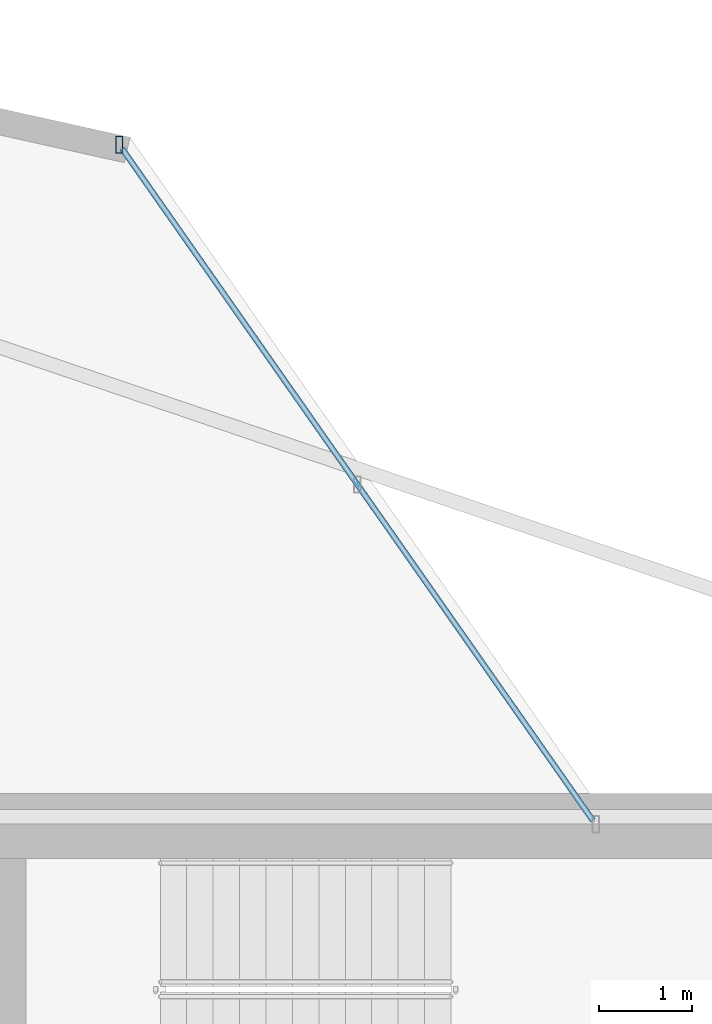
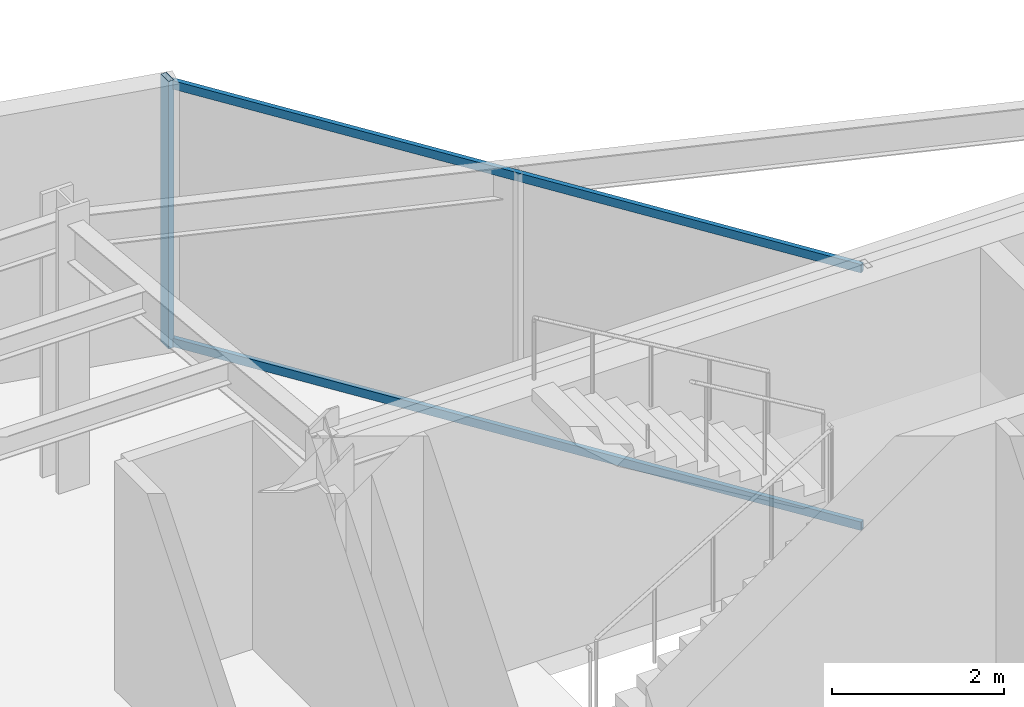
# One storey, part 12 of 22: 3 members, 1 element without a shape of its own.
"""IFC4 building model written with IfcOpenShell, lengths in metres."""

import ifcopenshell
import ifcopenshell.guid

model = None  # the IFC model being written
_history = None  # IfcOwnerHistory: only IFC2X3 demands one
_inside = {}  # id of a spatial element -> (the spatial element, [elements in it])
_under = {}  # id of a project, library or spatial element -> (it, [spatial elements below it])
_declared = {}  # id of a project -> (the project, [libraries it declares])
_typed = {}  # id of a type object -> (the type object, [elements of that type])
_made_of = {}  # id of a material, layer set ... -> (it, [elements and type objects made of it])


def new_model(schema):
    """Start an empty IFC model of exactly this schema.

    Asked for "IFC4X3", IfcOpenShell would pick the latest addendum, in which some entities
    have other attributes; the version numbers below select the first issue.
    IFC2X3 requires an IfcOwnerHistory on every rooted entity: one is made here for all.
    """
    global model, _history
    if schema == "IFC4X3":
        model = ifcopenshell.file(schema_version=(4, 3, 0, 0))
    else:
        model = ifcopenshell.file(schema=schema)
    _inside.clear()
    _under.clear()
    _declared.clear()
    _typed.clear()
    _made_of.clear()
    _history = None
    if model.schema == "IFC2X3":
        org = make("IfcOrganization", Name="unknown")
        user = make(
            "IfcPersonAndOrganization",
            ThePerson=make("IfcPerson", FamilyName="unknown"),
            TheOrganization=org,
        )
        app = make(
            "IfcApplication",
            ApplicationDeveloper=org,
            Version="unknown",
            ApplicationFullName="unknown",
            ApplicationIdentifier="unknown",
        )
        _history = make(
            "IfcOwnerHistory",
            OwningUser=user,
            OwningApplication=app,
            ChangeAction="ADDED",
            CreationDate=0,
        )
    return model


def make(cls, **values):
    """One entity of the class cls with the attributes given. An attribute that is None is left unset."""
    return model.create_entity(
        cls, **{name: value for name, value in values.items() if value is not None}
    )


def rooted(cls, **values):
    """An entity with a GlobalId (a new one), such as an element, a storey or a relation."""
    return make(cls, GlobalId=ifcopenshell.guid.new(), OwnerHistory=_history, **values)


def si_unit(unit_type, name, prefix=None):
    """IfcSIUnit, for example si_unit("LENGTHUNIT", "METRE", prefix="MILLI")."""
    return make("IfcSIUnit", UnitType=unit_type, Prefix=prefix, Name=name)


def assignment(units):
    """IfcUnitAssignment: the units of a project."""
    return None if units is None else make("IfcUnitAssignment", Units=units)


def point(xyz):
    """IfcCartesianPoint."""
    return None if xyz is None else make("IfcCartesianPoint", Coordinates=xyz)


def direction(xyz):
    """IfcDirection."""
    return None if xyz is None else make("IfcDirection", DirectionRatios=xyz)


def frame(location, z_axis=None, x_axis=None):
    """IfcAxis2Placement3D, a coordinate frame: its origin and axes. An axis left out is left unset."""
    return make(
        "IfcAxis2Placement3D",
        Location=point(location),
        Axis=direction(z_axis),
        RefDirection=direction(x_axis),
    )


def frame_2d(location, x_axis=None):
    """IfcAxis2Placement2D, a coordinate frame in the plane: its origin and x axis."""
    return make(
        "IfcAxis2Placement2D", Location=point(location), RefDirection=direction(x_axis)
    )


def origin():
    """The frame at (0, 0, 0) with its axes left unset."""
    return frame((0.0, 0.0, 0.0))


def origin_2d():
    """The frame at (0, 0) in the plane with its x axis left unset."""
    return frame_2d((0.0, 0.0))


def place(relative_to, where):
    """IfcLocalPlacement: puts the frame where relative to a parent placement (None: the world)."""
    return make(
        "IfcLocalPlacement", PlacementRelTo=relative_to, RelativePlacement=where
    )


def context(
    kind, dimensions, precision=None, world=None, true_north=None, identifier=None
):
    """IfcGeometricRepresentationContext, for example the 3D "Model" context."""
    return make(
        "IfcGeometricRepresentationContext",
        ContextIdentifier=identifier,
        ContextType=kind,
        CoordinateSpaceDimension=dimensions,
        Precision=precision,
        WorldCoordinateSystem=world,
        TrueNorth=true_north,
    )


def subcontext(parent, identifier, kind, view, scale=None):
    """IfcGeometricRepresentationSubContext, for example "Body" below "Model"."""
    return make(
        "IfcGeometricRepresentationSubContext",
        ContextIdentifier=identifier,
        ContextType=kind,
        ParentContext=parent,
        TargetScale=scale,
        TargetView=view,
    )


def project(units=None, contexts=None):
    """IfcProject with its units and contexts."""
    return rooted(
        "IfcProject",
        Name="project",
        RepresentationContexts=contexts,
        UnitsInContext=assignment(units),
    )


def spatial(cls, under=None, at=None, **own):
    """A site, building, storey or space (cls), placed at a placement, below another one or the project."""
    s = rooted(cls, ObjectPlacement=at, **own)
    if under is not None:
        _under.setdefault(under.id(), (under, []))[1].append(s)
    return s


def profile(cls, at=None, kind="AREA", **sizes):
    """A parametric profile (cls). Its sizes go by their IFC names, for example OverallWidth=200.0."""
    return make(cls, ProfileType=kind, Position=at, **sizes)


def hollow_rectangle(**sizes):
    """IfcRectangleHollowProfileDef."""
    return profile("IfcRectangleHollowProfileDef", **sizes)


def extrude(swept, where, along, depth):
    """IfcExtrudedAreaSolid: the profile swept, set in the frame where, extruded along a direction by depth."""
    return make(
        "IfcExtrudedAreaSolid",
        SweptArea=swept,
        Position=where,
        ExtrudedDirection=direction(along),
        Depth=depth,
    )


def shape(context_of_items, identifier, shape_type, items):
    """IfcShapeRepresentation: the items that make up one representation, for example the "Body"."""
    return make(
        "IfcShapeRepresentation",
        ContextOfItems=context_of_items,
        RepresentationIdentifier=identifier,
        RepresentationType=shape_type,
        Items=items,
    )


def material(Name=None, Category=None):
    """IfcMaterial."""
    return make("IfcMaterial", Name=Name, Category=Category)


def layer(
    of_material, thickness, ventilated=None, Name=None, Category=None, Priority=None
):
    """IfcMaterialLayer: one layer of a wall or slab, of a material (None: an air gap)."""
    return make(
        "IfcMaterialLayer",
        Material=of_material,
        LayerThickness=thickness,
        IsVentilated=ventilated,
        Name=Name,
        Category=Category,
        Priority=Priority,
    )


def layer_set(layers, Name=None):
    """IfcMaterialLayerSet."""
    return make("IfcMaterialLayerSet", MaterialLayers=layers, LayerSetName=Name)


def material_profile(
    of_material, cross_section, Name=None, Category=None, Priority=None
):
    """IfcMaterialProfile: a cross section and its material."""
    return make(
        "IfcMaterialProfile",
        Name=Name,
        Material=of_material,
        Profile=cross_section,
        Priority=Priority,
        Category=Category,
    )


def profile_set(profiles, Name=None, composite=None):
    """IfcMaterialProfileSet."""
    return make(
        "IfcMaterialProfileSet",
        Name=Name,
        MaterialProfiles=profiles,
        CompositeProfile=composite,
    )


def made_of(thing, what):
    """Note that an element or type object is made of a material, layer set ...; save() writes the relation."""
    if what is not None:
        _made_of.setdefault(what.id(), (what, []))[1].append(thing)
    return thing


def type_object(cls, material=None, **own):
    """A type object (cls), such as IfcWallType, which elements share."""
    return made_of(rooted(cls, **own), material)


def element(
    cls,
    number,
    at=None,
    inside=None,
    cuts=None,
    type_object=None,
    material=None,
    context=None,
    identifier="Body",
    shape_type=None,
    held_by="IfcProductDefinitionShape",
    body=None,
    shapes=None,
    **own,
):
    """One element of the class cls, such as IfcWall. Its Tag is "e" and its number.

    at: its placement. inside: the storey or other place that contains it. cuts: it is an
    opening in that element (IfcRelVoidsElement). A single representation is given by context,
    identifier, shape_type and body (its items); several are given by shapes. held_by: the class
    of the entity that holds the representations. save() writes the other relations.
    """
    e = rooted(cls, Tag="e%d" % number, ObjectPlacement=at, **own)
    if body is not None:
        shapes = [shape(context, identifier, shape_type, body)]
    if shapes is not None:
        e.Representation = make(held_by, Representations=shapes)
    if inside is not None:
        _inside.setdefault(inside.id(), (inside, []))[1].append(e)
    if cuts is not None:
        rooted(
            "IfcRelVoidsElement", RelatingBuildingElement=cuts, RelatedOpeningElement=e
        )
    if type_object is not None:
        _typed.setdefault(type_object.id(), (type_object, []))[1].append(e)
    return made_of(e, material)


def aggregate(whole, parts):
    """IfcRelAggregates: a whole, such as a stair, and the parts it consists of."""
    return rooted("IfcRelAggregates", RelatingObject=whole, RelatedObjects=parts)


def save(model, path):
    """Write the relations noted so far, then the file.

    IfcRelAggregates (storeys below a building ...), IfcRelContainedInSpatialStructure (elements
    in a storey), IfcRelDefinesByType, IfcRelAssociatesMaterial and IfcRelDeclares: one each for
    every whole, place, type object, material and project.
    """
    for whole, parts in _under.values():
        aggregate(whole, parts)
    for where, things in _inside.values():
        rooted(
            "IfcRelContainedInSpatialStructure",
            RelatedElements=things,
            RelatingStructure=where,
        )
    for kind, things in _typed.values():
        rooted("IfcRelDefinesByType", RelatedObjects=things, RelatingType=kind)
    for what, things in _made_of.values():
        rooted("IfcRelAssociatesMaterial", RelatedObjects=things, RelatingMaterial=what)
    for by, libraries in _declared.values():
        rooted("IfcRelDeclares", RelatingContext=by, RelatedDefinitions=libraries)
    model.write(path)


model = new_model("IFC4")

# Units and contexts
model_context = context("Model", 3, precision=1e-05, world=origin(), true_north=direction((0.0, 1.0)))
body_context = subcontext(model_context, "Body", "Model", "MODEL_VIEW")
ifc_project = project(units=[si_unit("LENGTHUNIT", "METRE"), si_unit("AREAUNIT", "SQUARE_METRE"), si_unit("VOLUMEUNIT", "CUBIC_METRE"), si_unit("PLANEANGLEUNIT", "RADIAN"), si_unit("MASSUNIT", "GRAM", prefix="KILO")], contexts=[model_context])

# Site, building, storey
site_placement = place(None, origin())
site = spatial("IfcSite", under=ifc_project, at=site_placement, CompositionType="ELEMENT")
building_placement = place(site_placement, origin())
building = spatial("IfcBuilding", under=site, at=building_placement, Name="Veymaron Broadcast Tower", CompositionType="ELEMENT")
storey_placement = place(building_placement, frame((0.0, 0.0, 216.14990234375)))
storey = spatial("IfcBuildingStorey", under=building, at=storey_placement, Name="L50", CompositionType="ELEMENT", Elevation=216.14990234375)

# Curtain wall, members
ifc_material_1 = material(Name="Anodised aluminium AA 6063-T6 and laminated low-E dark glass", Category="aluminium")
ifc_layer = layer(ifc_material_1, 0.179931640625)
ifc_layer_set = layer_set([ifc_layer], Name="Anodised aluminium AA 6063-T6 and laminated low-E dark glass")
curtain_wall_type = type_object("IfcCurtainWallType", Name="CW-SYS-05", PredefinedType="NOTDEFINED", material=ifc_layer_set)
curtain_wall_placement = place(storey_placement, origin())
curtain_wall = element("IfcCurtainWall", 1, at=curtain_wall_placement, inside=storey, type_object=curtain_wall_type, Name="L50 dark-glass curtain wall CW-L50-E5-1", PredefinedType="NOTDEFINED")
ifc_material_2 = material(Name="Anodised aluminium AA 6063-T6", Category="aluminium")
ifc_material_profile_1 = material_profile(ifc_material_2, hollow_rectangle(XDim=0.074951171875, YDim=0.179931640625, WallThickness=0.0048828125, at=origin_2d()), Name="AL180X75X5")
ifc_profile_set_1 = profile_set([ifc_material_profile_1], Name="Anodised aluminium AA 6063-T6")
member_type_1 = type_object("IfcMemberType", Name="CW-MUL-02", PredefinedType="MULLION", material=ifc_profile_set_1)
member_1_placement = place(storey_placement, frame((40.98779296875, 39.249755859375, 0.0), z_axis=(0.0, 0.0, 1.0), x_axis=(1.0, 0.0, 0.0)))
member_1 = element("IfcMember", 2, at=member_1_placement, type_object=member_type_1, Name="CW-L50-E5-1 mullion 2", PredefinedType="MULLION", context=body_context, shape_type="SweptSolid", body=[
    extrude(hollow_rectangle(XDim=0.074951171875, YDim=0.179931640625, WallThickness=0.0048828125, at=origin_2d()), origin(), (0.0, 0.0, 1.0), 3.7900390625),
])
ifc_material_profile_2 = material_profile(ifc_material_2, hollow_rectangle(XDim=0.06005859375, YDim=0.1201171875, WallThickness=0.00390625, at=origin_2d()), Name="AL120X60X4")
ifc_profile_set_2 = profile_set([ifc_material_profile_2], Name="Anodised aluminium AA 6063-T6")
member_type_2 = type_object("IfcMemberType", Name="CW-TRN-02", PredefinedType="USERDEFINED", material=ifc_profile_set_2)
member_2_placement = place(storey_placement, frame((46.095947265625, 31.960693359375, 0.070068359375), z_axis=(-0.573913969327, 0.81891559749, 0.0), x_axis=(-0.81891559749, -0.573913969327, 0.0)))
member_2 = element("IfcMember", 3, at=member_2_placement, type_object=member_type_2, Name="CW-L50-E5-1 transom B", ObjectType="TRANSOM", PredefinedType="USERDEFINED", context=body_context, shape_type="SweptSolid", body=[
    extrude(hollow_rectangle(XDim=0.06005859375, YDim=0.1201171875, WallThickness=0.00390625, at=origin_2d()), origin(), (0.0, 0.0, 1.0), 8.850830078125),
])
member_3_placement = place(storey_placement, frame((46.095947265625, 31.960693359375, 3.72021484375), z_axis=(-0.573913969327, 0.81891559749, 0.0), x_axis=(-0.81891559749, -0.573913969327, 0.0)))
member_3 = element("IfcMember", 4, at=member_3_placement, type_object=member_type_2, Name="CW-L50-E5-1 transom T", ObjectType="TRANSOM", PredefinedType="USERDEFINED", context=body_context, shape_type="SweptSolid", body=[
    extrude(hollow_rectangle(XDim=0.06005859375, YDim=0.1201171875, WallThickness=0.00390625, at=origin_2d()), origin(), (0.0, 0.0, 1.0), 8.850830078125),
])
aggregate(curtain_wall, [member_1, member_2, member_3])

save(model, "model.ifc")
